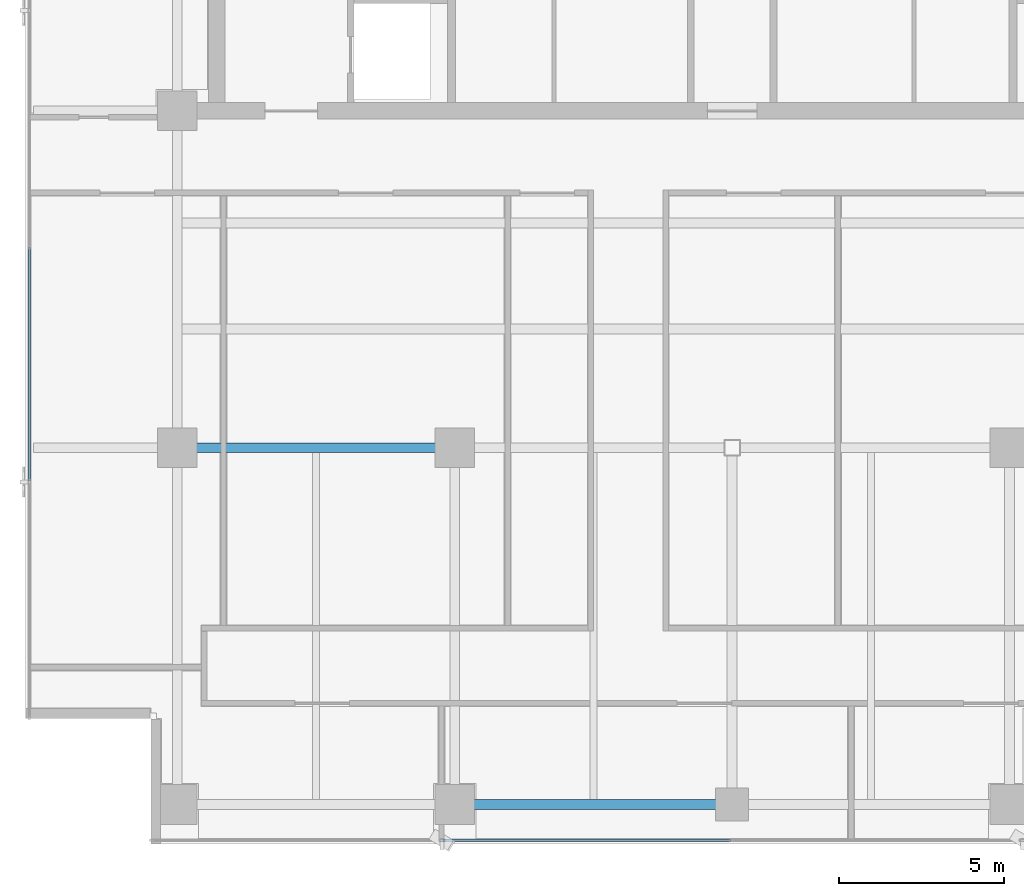
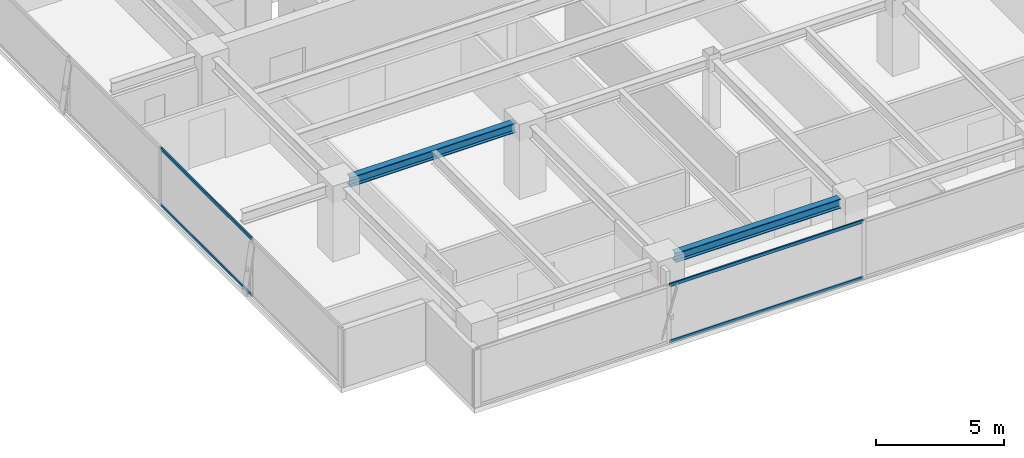
# One storey, part 3 of 22: 4 members, 2 beams, 2 elements without a shape of their own.
"""IFC4 building model written with IfcOpenShell, lengths in metres."""

import ifcopenshell
import ifcopenshell.guid

model = None  # the IFC model being written
_history = None  # IfcOwnerHistory: only IFC2X3 demands one
_inside = {}  # id of a spatial element -> (the spatial element, [elements in it])
_under = {}  # id of a project, library or spatial element -> (it, [spatial elements below it])
_declared = {}  # id of a project -> (the project, [libraries it declares])
_typed = {}  # id of a type object -> (the type object, [elements of that type])
_made_of = {}  # id of a material, layer set ... -> (it, [elements and type objects made of it])


def new_model(schema):
    """Start an empty IFC model of exactly this schema.

    Asked for "IFC4X3", IfcOpenShell would pick the latest addendum, in which some entities
    have other attributes; the version numbers below select the first issue.
    IFC2X3 requires an IfcOwnerHistory on every rooted entity: one is made here for all.
    """
    global model, _history
    if schema == "IFC4X3":
        model = ifcopenshell.file(schema_version=(4, 3, 0, 0))
    else:
        model = ifcopenshell.file(schema=schema)
    _inside.clear()
    _under.clear()
    _declared.clear()
    _typed.clear()
    _made_of.clear()
    _history = None
    if model.schema == "IFC2X3":
        org = make("IfcOrganization", Name="unknown")
        user = make(
            "IfcPersonAndOrganization",
            ThePerson=make("IfcPerson", FamilyName="unknown"),
            TheOrganization=org,
        )
        app = make(
            "IfcApplication",
            ApplicationDeveloper=org,
            Version="unknown",
            ApplicationFullName="unknown",
            ApplicationIdentifier="unknown",
        )
        _history = make(
            "IfcOwnerHistory",
            OwningUser=user,
            OwningApplication=app,
            ChangeAction="ADDED",
            CreationDate=0,
        )
    return model


def make(cls, **values):
    """One entity of the class cls with the attributes given. An attribute that is None is left unset."""
    return model.create_entity(
        cls, **{name: value for name, value in values.items() if value is not None}
    )


def rooted(cls, **values):
    """An entity with a GlobalId (a new one), such as an element, a storey or a relation."""
    return make(cls, GlobalId=ifcopenshell.guid.new(), OwnerHistory=_history, **values)


def si_unit(unit_type, name, prefix=None):
    """IfcSIUnit, for example si_unit("LENGTHUNIT", "METRE", prefix="MILLI")."""
    return make("IfcSIUnit", UnitType=unit_type, Prefix=prefix, Name=name)


def assignment(units):
    """IfcUnitAssignment: the units of a project."""
    return None if units is None else make("IfcUnitAssignment", Units=units)


def point(xyz):
    """IfcCartesianPoint."""
    return None if xyz is None else make("IfcCartesianPoint", Coordinates=xyz)


def direction(xyz):
    """IfcDirection."""
    return None if xyz is None else make("IfcDirection", DirectionRatios=xyz)


def frame(location, z_axis=None, x_axis=None):
    """IfcAxis2Placement3D, a coordinate frame: its origin and axes. An axis left out is left unset."""
    return make(
        "IfcAxis2Placement3D",
        Location=point(location),
        Axis=direction(z_axis),
        RefDirection=direction(x_axis),
    )


def frame_2d(location, x_axis=None):
    """IfcAxis2Placement2D, a coordinate frame in the plane: its origin and x axis."""
    return make(
        "IfcAxis2Placement2D", Location=point(location), RefDirection=direction(x_axis)
    )


def origin():
    """The frame at (0, 0, 0) with its axes left unset."""
    return frame((0.0, 0.0, 0.0))


def origin_2d():
    """The frame at (0, 0) in the plane with its x axis left unset."""
    return frame_2d((0.0, 0.0))


def place(relative_to, where):
    """IfcLocalPlacement: puts the frame where relative to a parent placement (None: the world)."""
    return make(
        "IfcLocalPlacement", PlacementRelTo=relative_to, RelativePlacement=where
    )


def context(
    kind, dimensions, precision=None, world=None, true_north=None, identifier=None
):
    """IfcGeometricRepresentationContext, for example the 3D "Model" context."""
    return make(
        "IfcGeometricRepresentationContext",
        ContextIdentifier=identifier,
        ContextType=kind,
        CoordinateSpaceDimension=dimensions,
        Precision=precision,
        WorldCoordinateSystem=world,
        TrueNorth=true_north,
    )


def subcontext(parent, identifier, kind, view, scale=None):
    """IfcGeometricRepresentationSubContext, for example "Body" below "Model"."""
    return make(
        "IfcGeometricRepresentationSubContext",
        ContextIdentifier=identifier,
        ContextType=kind,
        ParentContext=parent,
        TargetScale=scale,
        TargetView=view,
    )


def project(units=None, contexts=None):
    """IfcProject with its units and contexts."""
    return rooted(
        "IfcProject",
        Name="project",
        RepresentationContexts=contexts,
        UnitsInContext=assignment(units),
    )


def spatial(cls, under=None, at=None, **own):
    """A site, building, storey or space (cls), placed at a placement, below another one or the project."""
    s = rooted(cls, ObjectPlacement=at, **own)
    if under is not None:
        _under.setdefault(under.id(), (under, []))[1].append(s)
    return s


def profile(cls, at=None, kind="AREA", **sizes):
    """A parametric profile (cls). Its sizes go by their IFC names, for example OverallWidth=200.0."""
    return make(cls, ProfileType=kind, Position=at, **sizes)


def hollow_rectangle(**sizes):
    """IfcRectangleHollowProfileDef."""
    return profile("IfcRectangleHollowProfileDef", **sizes)


def i_section(**sizes):
    """IfcIShapeProfileDef."""
    return profile("IfcIShapeProfileDef", **sizes)


def extrude(swept, where, along, depth):
    """IfcExtrudedAreaSolid: the profile swept, set in the frame where, extruded along a direction by depth."""
    return make(
        "IfcExtrudedAreaSolid",
        SweptArea=swept,
        Position=where,
        ExtrudedDirection=direction(along),
        Depth=depth,
    )


def shape(context_of_items, identifier, shape_type, items):
    """IfcShapeRepresentation: the items that make up one representation, for example the "Body"."""
    return make(
        "IfcShapeRepresentation",
        ContextOfItems=context_of_items,
        RepresentationIdentifier=identifier,
        RepresentationType=shape_type,
        Items=items,
    )


def source(mapping_origin, context_of_items, identifier, shape_type, items):
    """IfcRepresentationMap: a shape defined once, which mapped items show again and again."""
    return make(
        "IfcRepresentationMap",
        MappingOrigin=mapping_origin,
        MappedRepresentation=shape(context_of_items, identifier, shape_type, items),
    )


def transform(
    local_origin,
    x_axis=None,
    y_axis=None,
    z_axis=None,
    scale=None,
    scale2=None,
    scale3=None,
    uniform=True,
):
    """IfcCartesianTransformationOperator3D, or its non-uniform kind. x_axis, y_axis, z_axis: its Axis1, 2, 3."""
    if uniform:
        return make(
            "IfcCartesianTransformationOperator3D",
            Axis1=direction(x_axis),
            Axis2=direction(y_axis),
            LocalOrigin=point(local_origin),
            Scale=scale,
            Axis3=direction(z_axis),
        )
    return make(
        "IfcCartesianTransformationOperator3DnonUniform",
        Axis1=direction(x_axis),
        Axis2=direction(y_axis),
        LocalOrigin=point(local_origin),
        Scale=scale,
        Axis3=direction(z_axis),
        Scale2=scale2,
        Scale3=scale3,
    )


def mapped(mapping_source, mapping_target):
    """IfcMappedItem: shows the shape of a source again, moved by a transform."""
    return make(
        "IfcMappedItem", MappingSource=mapping_source, MappingTarget=mapping_target
    )


def material(Name=None, Category=None):
    """IfcMaterial."""
    return make("IfcMaterial", Name=Name, Category=Category)


def layer(
    of_material, thickness, ventilated=None, Name=None, Category=None, Priority=None
):
    """IfcMaterialLayer: one layer of a wall or slab, of a material (None: an air gap)."""
    return make(
        "IfcMaterialLayer",
        Material=of_material,
        LayerThickness=thickness,
        IsVentilated=ventilated,
        Name=Name,
        Category=Category,
        Priority=Priority,
    )


def layer_set(layers, Name=None):
    """IfcMaterialLayerSet."""
    return make("IfcMaterialLayerSet", MaterialLayers=layers, LayerSetName=Name)


def material_profile(
    of_material, cross_section, Name=None, Category=None, Priority=None
):
    """IfcMaterialProfile: a cross section and its material."""
    return make(
        "IfcMaterialProfile",
        Name=Name,
        Material=of_material,
        Profile=cross_section,
        Priority=Priority,
        Category=Category,
    )


def profile_set(profiles, Name=None, composite=None):
    """IfcMaterialProfileSet."""
    return make(
        "IfcMaterialProfileSet",
        Name=Name,
        MaterialProfiles=profiles,
        CompositeProfile=composite,
    )


def made_of(thing, what):
    """Note that an element or type object is made of a material, layer set ...; save() writes the relation."""
    if what is not None:
        _made_of.setdefault(what.id(), (what, []))[1].append(thing)
    return thing


def type_object(cls, material=None, **own):
    """A type object (cls), such as IfcWallType, which elements share."""
    return made_of(rooted(cls, **own), material)


def element(
    cls,
    number,
    at=None,
    inside=None,
    cuts=None,
    type_object=None,
    material=None,
    context=None,
    identifier="Body",
    shape_type=None,
    held_by="IfcProductDefinitionShape",
    body=None,
    shapes=None,
    **own,
):
    """One element of the class cls, such as IfcWall. Its Tag is "e" and its number.

    at: its placement. inside: the storey or other place that contains it. cuts: it is an
    opening in that element (IfcRelVoidsElement). A single representation is given by context,
    identifier, shape_type and body (its items); several are given by shapes. held_by: the class
    of the entity that holds the representations. save() writes the other relations.
    """
    e = rooted(cls, Tag="e%d" % number, ObjectPlacement=at, **own)
    if body is not None:
        shapes = [shape(context, identifier, shape_type, body)]
    if shapes is not None:
        e.Representation = make(held_by, Representations=shapes)
    if inside is not None:
        _inside.setdefault(inside.id(), (inside, []))[1].append(e)
    if cuts is not None:
        rooted(
            "IfcRelVoidsElement", RelatingBuildingElement=cuts, RelatedOpeningElement=e
        )
    if type_object is not None:
        _typed.setdefault(type_object.id(), (type_object, []))[1].append(e)
    return made_of(e, material)


def aggregate(whole, parts):
    """IfcRelAggregates: a whole, such as a stair, and the parts it consists of."""
    return rooted("IfcRelAggregates", RelatingObject=whole, RelatedObjects=parts)


def save(model, path):
    """Write the relations noted so far, then the file.

    IfcRelAggregates (storeys below a building ...), IfcRelContainedInSpatialStructure (elements
    in a storey), IfcRelDefinesByType, IfcRelAssociatesMaterial and IfcRelDeclares: one each for
    every whole, place, type object, material and project.
    """
    for whole, parts in _under.values():
        aggregate(whole, parts)
    for where, things in _inside.values():
        rooted(
            "IfcRelContainedInSpatialStructure",
            RelatedElements=things,
            RelatingStructure=where,
        )
    for kind, things in _typed.values():
        rooted("IfcRelDefinesByType", RelatedObjects=things, RelatingType=kind)
    for what, things in _made_of.values():
        rooted("IfcRelAssociatesMaterial", RelatedObjects=things, RelatingMaterial=what)
    for by, libraries in _declared.values():
        rooted("IfcRelDeclares", RelatingContext=by, RelatedDefinitions=libraries)
    model.write(path)


model = new_model("IFC4")

# Units and contexts
model_context = context("Model", 3, precision=1e-05, world=origin(), true_north=direction((0.0, 1.0)))
body_context = subcontext(model_context, "Body", "Model", "MODEL_VIEW")
ifc_project = project(units=[si_unit("LENGTHUNIT", "METRE"), si_unit("AREAUNIT", "SQUARE_METRE"), si_unit("VOLUMEUNIT", "CUBIC_METRE"), si_unit("PLANEANGLEUNIT", "RADIAN"), si_unit("MASSUNIT", "GRAM", prefix="KILO")], contexts=[model_context])

# Site, building, storey
site_placement = place(None, origin())
site = spatial("IfcSite", under=ifc_project, at=site_placement, CompositionType="ELEMENT")
building_placement = place(site_placement, origin())
building = spatial("IfcBuilding", under=site, at=building_placement, Name="Sumidabori Civic Tower", CompositionType="ELEMENT")
storey_placement = place(building_placement, frame((0.0, 0.0, 286.39990234375)))
storey = spatial("IfcBuildingStorey", under=building, at=storey_placement, Name="L75", CompositionType="ELEMENT", Elevation=286.39990234375)

# Beams
ifc_material_1 = material(Name="Steel SN490", Category="steel")
ifc_material_profile_1 = material_profile(ifc_material_1, i_section(OverallWidth=0.300048828125, OverallDepth=0.449951171875, WebThickness=0.013916015625, FlangeThickness=0.02587890625, at=origin_2d()), Name="HE 450 B")
ifc_profile_set_1 = profile_set([ifc_material_profile_1], Name="Steel SN490")
beam_type = type_object("IfcBeamType", Name="BM-GIRD-450", PredefinedType="BEAM", material=ifc_profile_set_1)
shared_shape_1 = source(origin(), body_context, "Body", "SweptSolid", [
    extrude(i_section(OverallWidth=0.300048828125, OverallDepth=0.449951171875, WebThickness=0.013916015625, FlangeThickness=0.02587890625, at=origin_2d()), origin(), (0.0, 0.0, 1.0), 7.440185546875),
])
beam_1_placement = place(storey_placement, frame((-16.320068359375, 0.0, 3.14501953125), z_axis=(1.0, 0.0, 0.0), x_axis=(0.0, 1.0, 0.0)))
element("IfcBeam", 1, at=beam_1_placement, inside=storey, type_object=beam_type, Name="Primary Girder L75 GX-05", PredefinedType="BEAM", context=body_context, shape_type="MappedRepresentation", body=[
    mapped(shared_shape_1, transform((0.0, 0.0, 0.0), x_axis=(1.0, 0.0, 0.0), y_axis=(0.0, 1.0, 0.0), z_axis=(0.0, 0.0, 1.0), scale=1.0)),
])
shared_shape_2 = source(origin(), body_context, "Body", "SweptSolid", [
    extrude(i_section(OverallWidth=0.300048828125, OverallDepth=0.449951171875, WebThickness=0.013916015625, FlangeThickness=0.02587890625, at=origin_2d()), origin(), (0.0, 0.0, 1.0), 7.43994140625),
])
beam_2_placement = place(storey_placement, frame((-7.919921875, -10.800048828125, 3.14501953125), z_axis=(1.0, 0.0, 0.0), x_axis=(0.0, 1.0, 0.0)))
element("IfcBeam", 2, at=beam_2_placement, inside=storey, type_object=beam_type, Name="Primary Girder L75 GX-02", PredefinedType="BEAM", context=body_context, shape_type="MappedRepresentation", body=[
    mapped(shared_shape_2, transform((0.0, 0.0, 0.0), x_axis=(1.0, 0.0, 0.0), y_axis=(0.0, 1.0, 0.0), z_axis=(0.0, 0.0, 1.0), scale=1.0)),
])

# Curtain wall, members
ifc_material_2 = material(Name="Anodised Bronze Aluminium AW-6063-T6", Category="aluminium")
ifc_layer = layer(ifc_material_2, 0.179931640625, Name="Anodised Bronze Aluminium AW-6063-T6")
ifc_layer_set = layer_set([ifc_layer], Name="Anodised Bronze Aluminium AW-6063-T6")
curtain_wall_type = type_object("IfcCurtainWallType", Name="CW-SYS-6", PredefinedType="NOTDEFINED", material=ifc_layer_set)
curtain_wall_1_placement = place(storey_placement, origin())
curtain_wall_1 = element("IfcCurtainWall", 3, at=curtain_wall_1_placement, inside=storey, type_object=curtain_wall_type, Name="Curtain Wall CW:L75:R01", PredefinedType="NOTDEFINED")
ifc_material_profile_2 = material_profile(ifc_material_2, hollow_rectangle(XDim=0.06494140625, YDim=0.14990234375, WallThickness=0.0048828125, at=origin_2d()), Name="ALU TRANSOM 150x65")
ifc_profile_set_2 = profile_set([ifc_material_profile_2], Name="Anodised Bronze Aluminium AW-6063-T6")
member_type = type_object("IfcMemberType", Name="CW-TRN-150", PredefinedType="USERDEFINED", material=ifc_profile_set_2)
shared_shape_3 = source(origin(), body_context, "Body", "SweptSolid", [
    extrude(hollow_rectangle(XDim=0.06494140625, YDim=0.14990234375, WallThickness=0.0048828125, at=origin_2d()), origin(), (0.0, 0.0, 1.0), 8.715087890625),
])
member_1_placement = place(storey_placement, frame((-8.75, -11.8798828125, 0.03271484375), z_axis=(1.0, 0.0, 0.0), x_axis=(0.0, 1.0, 0.0)))
member_1 = element("IfcMember", 4, at=member_1_placement, type_object=member_type, Name="CW-6 transom 2.1", ObjectType="TRANSOM", PredefinedType="USERDEFINED", context=body_context, shape_type="MappedRepresentation", body=[
    mapped(shared_shape_3, transform((0.0, 0.0, 0.0), x_axis=(1.0, 0.0, 0.0), y_axis=(0.0, 1.0, 0.0), z_axis=(0.0, 0.0, 1.0), scale=1.0)),
])
member_2_placement = place(storey_placement, frame((-8.75, -11.8798828125, 2.717529296875), z_axis=(1.0, 0.0, 0.0), x_axis=(0.0, 1.0, 0.0)))
member_2 = element("IfcMember", 5, at=member_2_placement, type_object=member_type, Name="CW-6 transom 2.2", ObjectType="TRANSOM", PredefinedType="USERDEFINED", context=body_context, shape_type="MappedRepresentation", body=[
    mapped(shared_shape_3, transform((0.0, 0.0, 0.0), x_axis=(1.0, 0.0, 0.0), y_axis=(0.0, 1.0, 0.0), z_axis=(0.0, 0.0, 1.0), scale=1.0)),
])
aggregate(curtain_wall_1, [member_1, member_2])

curtain_wall_2_placement = place(storey_placement, origin())
curtain_wall_2 = element("IfcCurtainWall", 6, at=curtain_wall_2_placement, inside=storey, type_object=curtain_wall_type, Name="Curtain Wall CW:L75:R10", PredefinedType="NOTDEFINED")
shared_shape_4 = source(origin(), body_context, "Body", "SweptSolid", [
    extrude(hollow_rectangle(XDim=0.06494140625, YDim=0.14990234375, WallThickness=0.0048828125, at=origin_2d()), origin(), (0.0, 0.0, 1.0), 7.06494140625),
])
member_3_placement = place(storey_placement, frame((-21.280029296875, 6.06494140625, 0.03271484375), z_axis=(0.0, -1.0, 0.0), x_axis=(1.0, 0.0, 0.0)))
member_3 = element("IfcMember", 7, at=member_3_placement, type_object=member_type, Name="CW-6 transom 3.1", ObjectType="TRANSOM", PredefinedType="USERDEFINED", context=body_context, shape_type="MappedRepresentation", body=[
    mapped(shared_shape_4, transform((0.0, 0.0, 0.0), x_axis=(1.0, 0.0, 0.0), y_axis=(0.0, 1.0, 0.0), z_axis=(0.0, 0.0, 1.0), scale=1.0)),
])
member_4_placement = place(storey_placement, frame((-21.280029296875, 6.06494140625, 2.717529296875), z_axis=(0.0, -1.0, 0.0), x_axis=(1.0, 0.0, 0.0)))
member_4 = element("IfcMember", 8, at=member_4_placement, type_object=member_type, Name="CW-6 transom 3.2", ObjectType="TRANSOM", PredefinedType="USERDEFINED", context=body_context, shape_type="MappedRepresentation", body=[
    mapped(shared_shape_4, transform((0.0, 0.0, 0.0), x_axis=(1.0, 0.0, 0.0), y_axis=(0.0, 1.0, 0.0), z_axis=(0.0, 0.0, 1.0), scale=1.0)),
])
aggregate(curtain_wall_2, [member_3, member_4])

save(model, "model.ifc")
